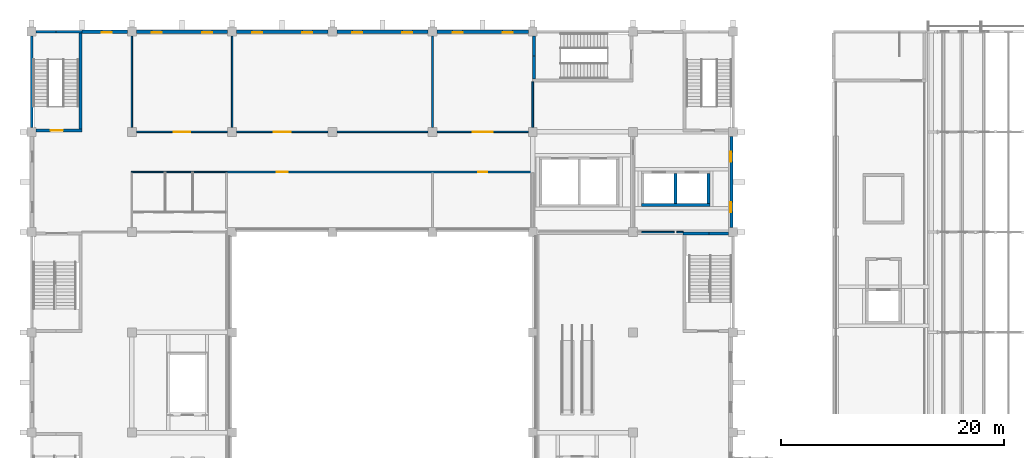
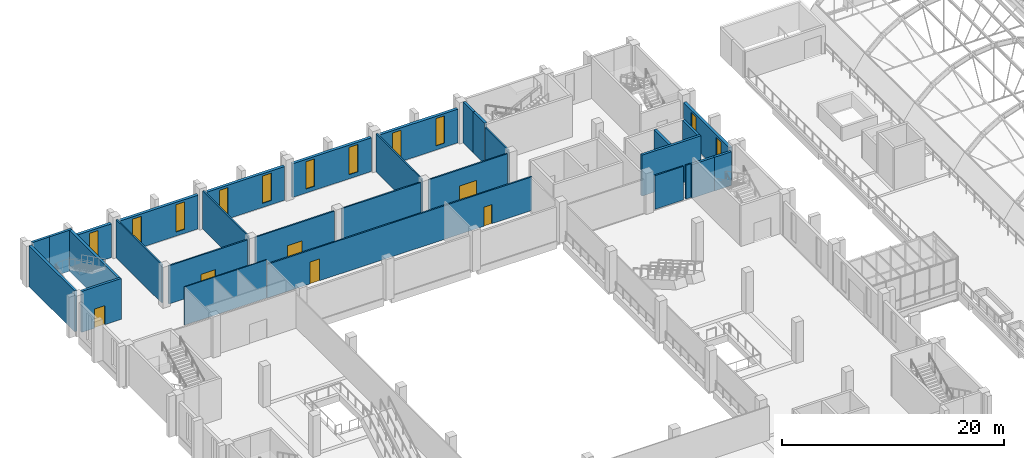
# One storey, part 55 of 79: 30 walls, 11 windows, 6 doors, 17 openings.
"""IFC4 building model written with IfcOpenShell, lengths in metres."""

from ifc_helpers import new_model, si_unit, direction, frame, frame_2d, origin, place, context, subcontext, project, spatial, rectangle, extrude, material, layer, layer_set, type_object, element, fill, save


model = new_model("IFC4")

# Units and contexts
model_context = context("Model", 3, precision=1e-05, world=origin(), true_north=direction((0.0, 1.0)))
body_context = subcontext(model_context, "Body", "Model", "MODEL_VIEW")
ifc_project = project(units=[si_unit("LENGTHUNIT", "METRE"), si_unit("AREAUNIT", "SQUARE_METRE"), si_unit("VOLUMEUNIT", "CUBIC_METRE"), si_unit("PLANEANGLEUNIT", "RADIAN"), si_unit("MASSUNIT", "GRAM", prefix="KILO")], contexts=[model_context])

# Site, building, storey
site_placement = place(None, origin())
site = spatial("IfcSite", under=ifc_project, at=site_placement, CompositionType="ELEMENT")
building_placement = place(site_placement, origin())
building = spatial("IfcBuilding", under=site, at=building_placement, Name="Guidao Yard Department Store", CompositionType="ELEMENT")
storey_placement = place(building_placement, frame((0.0, 0.0, 15.0)))
storey = spatial("IfcBuildingStorey", under=building, at=storey_placement, Name="L03", CompositionType="ELEMENT", Elevation=15.0)

# Wall, opening, window
ifc_material_1 = material(Name="Concrete C35", Category="concrete")
ifc_layer_1 = layer(ifc_material_1, 0.300048828125)
ifc_layer_set_1 = layer_set([ifc_layer_1], Name="Hall facade wall 300 C35")
wall_type_1 = type_object("IfcWallType", Name="Hall facade wall 300 C35", PredefinedType="SOLIDWALL", material=ifc_layer_set_1)
wall_1_placement = place(storey_placement, frame((4.5, 108.0, 0.0), z_axis=(0.0, 0.0, 1.0), x_axis=(1.0, 0.0, 0.0)))
wall_1 = element("IfcWall", 1, at=wall_1_placement, inside=storey, type_object=wall_type_1, Name="Hall facade wall", PredefinedType="SOLIDWALL", context=body_context, shape_type="SweptSolid", body=[
    extrude(rectangle(XDim=4.10009765625, YDim=0.300048828125, at=frame_2d((2.050048828125, 0.0))), origin(), (0.0, 0.0, 1.0), 3.699951171875),
])
opening_1_placement = place(wall_1_placement, frame((1.800048828125, 0.0, 0.449951171875)))
opening_1 = element("IfcOpeningElement", 2, at=opening_1_placement, cuts=wall_1, Name="Opening WN-L03-E09", PredefinedType="OPENING", context=body_context, shape_type="SweptSolid", body=[
    extrude(rectangle(XDim=0.89990234375, YDim=3.0, at=frame_2d((0.449951171875, 1.5))), frame((0.0, 0.159912109375, 0.0), z_axis=(0.0, -1.0, 0.0), x_axis=(1.0, 0.0, 0.0)), (0.0, 0.0, 1.0), 0.320068359375),
])
ifc_material_2 = material(Name="Laminated glass in aluminium frame", Category="aluminium")
window_type = type_object("IfcWindowType", Name="Slot window SL1 900 x 3000 fixed", PartitioningType="SINGLE_PANEL", PredefinedType="WINDOW", material=ifc_material_2)
window_1_placement = place(opening_1_placement, origin())
window_1 = element("IfcWindow", 3, at=window_1_placement, inside=storey, type_object=window_type, Name="Slot window", OverallHeight=3.0, OverallWidth=0.89990234375, PartitioningType="SINGLE_PANEL", PredefinedType="WINDOW", context=body_context, shape_type="SweptSolid", body=[
    extrude(rectangle(XDim=0.89990234375, YDim=3.0, at=frame_2d((0.449951171875, 1.5))), frame((0.0, -0.030029296875, 0.0), z_axis=(0.0, -1.0, 0.0), x_axis=(1.0, 0.0, 0.0)), (0.0, 0.0, 1.0), 0.06005859375),
])
fill(opening_1, window_1)

# Wall, openings, windows
wall_2_placement = place(storey_placement, frame((9.39990234375, 108.0, 0.0), z_axis=(0.0, 0.0, 1.0), x_axis=(1.0, 0.0, 0.0)))
wall_2 = element("IfcWall", 4, at=wall_2_placement, inside=storey, type_object=wall_type_1, Name="Hall facade wall", PredefinedType="SOLIDWALL", context=body_context, shape_type="SweptSolid", body=[
    extrude(rectangle(XDim=8.2001953125, YDim=0.300048828125, at=frame_2d((4.10009765625, 0.0))), origin(), (0.0, 0.0, 1.0), 3.699951171875),
])
opening_2_placement = place(wall_2_placement, frame((1.39990234375, 0.0, 0.449951171875)))
opening_2 = element("IfcOpeningElement", 5, at=opening_2_placement, cuts=wall_2, Name="Opening WN-L03-E10", PredefinedType="OPENING", context=body_context, shape_type="SweptSolid", body=[
    extrude(rectangle(XDim=0.89990234375, YDim=3.0, at=frame_2d((0.449951171875, 1.5))), frame((0.0, 0.159912109375, 0.0), z_axis=(0.0, -1.0, 0.0), x_axis=(1.0, 0.0, 0.0)), (0.0, 0.0, 1.0), 0.320068359375),
])
opening_3_placement = place(wall_2_placement, frame((5.89990234375, 0.0, 0.449951171875)))
opening_3 = element("IfcOpeningElement", 6, at=opening_3_placement, cuts=wall_2, Name="Opening WN-L03-E11", PredefinedType="OPENING", context=body_context, shape_type="SweptSolid", body=[
    extrude(rectangle(XDim=0.89990234375, YDim=3.0, at=frame_2d((0.449951171875, 1.5))), frame((0.0, 0.159912109375, 0.0), z_axis=(0.0, -1.0, 0.0), x_axis=(1.0, 0.0, 0.0)), (0.0, 0.0, 1.0), 0.320068359375),
])
window_2_placement = place(opening_2_placement, origin())
window_2 = element("IfcWindow", 7, at=window_2_placement, inside=storey, type_object=window_type, Name="Slot window", OverallHeight=3.0, OverallWidth=0.89990234375, PartitioningType="SINGLE_PANEL", PredefinedType="WINDOW", context=body_context, shape_type="SweptSolid", body=[
    extrude(rectangle(XDim=0.89990234375, YDim=3.0, at=frame_2d((0.449951171875, 1.5))), frame((0.0, -0.030029296875, 0.0), z_axis=(0.0, -1.0, 0.0), x_axis=(1.0, 0.0, 0.0)), (0.0, 0.0, 1.0), 0.06005859375),
])
fill(opening_2, window_2)
window_3_placement = place(opening_3_placement, origin())
window_3 = element("IfcWindow", 8, at=window_3_placement, inside=storey, type_object=window_type, Name="Slot window", OverallHeight=3.0, OverallWidth=0.89990234375, PartitioningType="SINGLE_PANEL", PredefinedType="WINDOW", context=body_context, shape_type="SweptSolid", body=[
    extrude(rectangle(XDim=0.89990234375, YDim=3.0, at=frame_2d((0.449951171875, 1.5))), frame((0.0, -0.030029296875, 0.0), z_axis=(0.0, -1.0, 0.0), x_axis=(1.0, 0.0, 0.0)), (0.0, 0.0, 1.0), 0.06005859375),
])
fill(opening_3, window_3)

wall_3_placement = place(storey_placement, frame((18.39990234375, 108.0, 0.0), z_axis=(0.0, 0.0, 1.0), x_axis=(1.0, 0.0, 0.0)))
wall_3 = element("IfcWall", 9, at=wall_3_placement, inside=storey, type_object=wall_type_1, Name="Hall facade wall", PredefinedType="SOLIDWALL", context=body_context, shape_type="SweptSolid", body=[
    extrude(rectangle(XDim=8.2001953125, YDim=0.300048828125, at=frame_2d((4.10009765625, 0.0))), origin(), (0.0, 0.0, 1.0), 3.699951171875),
])
opening_4_placement = place(wall_3_placement, frame((1.39990234375, 0.0, 0.449951171875)))
opening_4 = element("IfcOpeningElement", 10, at=opening_4_placement, cuts=wall_3, Name="Opening WN-L03-E12", PredefinedType="OPENING", context=body_context, shape_type="SweptSolid", body=[
    extrude(rectangle(XDim=0.89990234375, YDim=3.0, at=frame_2d((0.449951171875, 1.5))), frame((0.0, 0.159912109375, 0.0), z_axis=(0.0, -1.0, 0.0), x_axis=(1.0, 0.0, 0.0)), (0.0, 0.0, 1.0), 0.320068359375),
])
opening_5_placement = place(wall_3_placement, frame((5.89990234375, 0.0, 0.449951171875)))
opening_5 = element("IfcOpeningElement", 11, at=opening_5_placement, cuts=wall_3, Name="Opening WN-L03-E13", PredefinedType="OPENING", context=body_context, shape_type="SweptSolid", body=[
    extrude(rectangle(XDim=0.89990234375, YDim=3.0, at=frame_2d((0.449951171875, 1.5))), frame((0.0, 0.159912109375, 0.0), z_axis=(0.0, -1.0, 0.0), x_axis=(1.0, 0.0, 0.0)), (0.0, 0.0, 1.0), 0.320068359375),
])
window_4_placement = place(opening_4_placement, origin())
window_4 = element("IfcWindow", 12, at=window_4_placement, inside=storey, type_object=window_type, Name="Slot window", OverallHeight=3.0, OverallWidth=0.89990234375, PartitioningType="SINGLE_PANEL", PredefinedType="WINDOW", context=body_context, shape_type="SweptSolid", body=[
    extrude(rectangle(XDim=0.89990234375, YDim=3.0, at=frame_2d((0.449951171875, 1.5))), frame((0.0, -0.030029296875, 0.0), z_axis=(0.0, -1.0, 0.0), x_axis=(1.0, 0.0, 0.0)), (0.0, 0.0, 1.0), 0.06005859375),
])
fill(opening_4, window_4)
window_5_placement = place(opening_5_placement, origin())
window_5 = element("IfcWindow", 13, at=window_5_placement, inside=storey, type_object=window_type, Name="Slot window", OverallHeight=3.0, OverallWidth=0.89990234375, PartitioningType="SINGLE_PANEL", PredefinedType="WINDOW", context=body_context, shape_type="SweptSolid", body=[
    extrude(rectangle(XDim=0.89990234375, YDim=3.0, at=frame_2d((0.449951171875, 1.5))), frame((0.0, -0.030029296875, 0.0), z_axis=(0.0, -1.0, 0.0), x_axis=(1.0, 0.0, 0.0)), (0.0, 0.0, 1.0), 0.06005859375),
])
fill(opening_5, window_5)

wall_4_placement = place(storey_placement, frame((27.39990234375, 108.0, 0.0), z_axis=(0.0, 0.0, 1.0), x_axis=(1.0, 0.0, 0.0)))
wall_4 = element("IfcWall", 14, at=wall_4_placement, inside=storey, type_object=wall_type_1, Name="Hall facade wall", PredefinedType="SOLIDWALL", context=body_context, shape_type="SweptSolid", body=[
    extrude(rectangle(XDim=8.2001953125, YDim=0.300048828125, at=frame_2d((4.10009765625, 0.0))), origin(), (0.0, 0.0, 1.0), 3.699951171875),
])
opening_6_placement = place(wall_4_placement, frame((1.39990234375, 0.0, 0.449951171875)))
opening_6 = element("IfcOpeningElement", 15, at=opening_6_placement, cuts=wall_4, Name="Opening WN-L03-E14", PredefinedType="OPENING", context=body_context, shape_type="SweptSolid", body=[
    extrude(rectangle(XDim=0.89990234375, YDim=3.0, at=frame_2d((0.449951171875, 1.5))), frame((0.0, 0.159912109375, 0.0), z_axis=(0.0, -1.0, 0.0), x_axis=(1.0, 0.0, 0.0)), (0.0, 0.0, 1.0), 0.320068359375),
])
opening_7_placement = place(wall_4_placement, frame((5.89990234375, 0.0, 0.449951171875)))
opening_7 = element("IfcOpeningElement", 16, at=opening_7_placement, cuts=wall_4, Name="Opening WN-L03-E15", PredefinedType="OPENING", context=body_context, shape_type="SweptSolid", body=[
    extrude(rectangle(XDim=0.89990234375, YDim=3.0, at=frame_2d((0.449951171875, 1.5))), frame((0.0, 0.159912109375, 0.0), z_axis=(0.0, -1.0, 0.0), x_axis=(1.0, 0.0, 0.0)), (0.0, 0.0, 1.0), 0.320068359375),
])
window_6_placement = place(opening_6_placement, origin())
window_6 = element("IfcWindow", 17, at=window_6_placement, inside=storey, type_object=window_type, Name="Slot window", OverallHeight=3.0, OverallWidth=0.89990234375, PartitioningType="SINGLE_PANEL", PredefinedType="WINDOW", context=body_context, shape_type="SweptSolid", body=[
    extrude(rectangle(XDim=0.89990234375, YDim=3.0, at=frame_2d((0.449951171875, 1.5))), frame((0.0, -0.030029296875, 0.0), z_axis=(0.0, -1.0, 0.0), x_axis=(1.0, 0.0, 0.0)), (0.0, 0.0, 1.0), 0.06005859375),
])
fill(opening_6, window_6)
window_7_placement = place(opening_7_placement, origin())
window_7 = element("IfcWindow", 18, at=window_7_placement, inside=storey, type_object=window_type, Name="Slot window", OverallHeight=3.0, OverallWidth=0.89990234375, PartitioningType="SINGLE_PANEL", PredefinedType="WINDOW", context=body_context, shape_type="SweptSolid", body=[
    extrude(rectangle(XDim=0.89990234375, YDim=3.0, at=frame_2d((0.449951171875, 1.5))), frame((0.0, -0.030029296875, 0.0), z_axis=(0.0, -1.0, 0.0), x_axis=(1.0, 0.0, 0.0)), (0.0, 0.0, 1.0), 0.06005859375),
])
fill(opening_7, window_7)

wall_5_placement = place(storey_placement, frame((36.39990234375, 108.0, 0.0), z_axis=(0.0, 0.0, 1.0), x_axis=(1.0, 0.0, 0.0)))
wall_5 = element("IfcWall", 19, at=wall_5_placement, inside=storey, type_object=wall_type_1, Name="Hall facade wall", PredefinedType="SOLIDWALL", context=body_context, shape_type="SweptSolid", body=[
    extrude(rectangle(XDim=8.2001953125, YDim=0.300048828125, at=frame_2d((4.10009765625, 0.0))), origin(), (0.0, 0.0, 1.0), 3.699951171875),
])
opening_8_placement = place(wall_5_placement, frame((1.39990234375, 0.0, 0.449951171875)))
opening_8 = element("IfcOpeningElement", 20, at=opening_8_placement, cuts=wall_5, Name="Opening WN-L03-E16", PredefinedType="OPENING", context=body_context, shape_type="SweptSolid", body=[
    extrude(rectangle(XDim=0.89990234375, YDim=3.0, at=frame_2d((0.449951171875, 1.5))), frame((0.0, 0.159912109375, 0.0), z_axis=(0.0, -1.0, 0.0), x_axis=(1.0, 0.0, 0.0)), (0.0, 0.0, 1.0), 0.320068359375),
])
opening_9_placement = place(wall_5_placement, frame((5.89990234375, 0.0, 0.449951171875)))
opening_9 = element("IfcOpeningElement", 21, at=opening_9_placement, cuts=wall_5, Name="Opening WN-L03-E17", PredefinedType="OPENING", context=body_context, shape_type="SweptSolid", body=[
    extrude(rectangle(XDim=0.89990234375, YDim=3.0, at=frame_2d((0.449951171875, 1.5))), frame((0.0, 0.159912109375, 0.0), z_axis=(0.0, -1.0, 0.0), x_axis=(1.0, 0.0, 0.0)), (0.0, 0.0, 1.0), 0.320068359375),
])
window_8_placement = place(opening_8_placement, origin())
window_8 = element("IfcWindow", 22, at=window_8_placement, inside=storey, type_object=window_type, Name="Slot window", OverallHeight=3.0, OverallWidth=0.89990234375, PartitioningType="SINGLE_PANEL", PredefinedType="WINDOW", context=body_context, shape_type="SweptSolid", body=[
    extrude(rectangle(XDim=0.89990234375, YDim=3.0, at=frame_2d((0.449951171875, 1.5))), frame((0.0, -0.030029296875, 0.0), z_axis=(0.0, -1.0, 0.0), x_axis=(1.0, 0.0, 0.0)), (0.0, 0.0, 1.0), 0.06005859375),
])
fill(opening_8, window_8)
window_9_placement = place(opening_9_placement, origin())
window_9 = element("IfcWindow", 23, at=window_9_placement, inside=storey, type_object=window_type, Name="Slot window", OverallHeight=3.0, OverallWidth=0.89990234375, PartitioningType="SINGLE_PANEL", PredefinedType="WINDOW", context=body_context, shape_type="SweptSolid", body=[
    extrude(rectangle(XDim=0.89990234375, YDim=3.0, at=frame_2d((0.449951171875, 1.5))), frame((0.0, -0.030029296875, 0.0), z_axis=(0.0, -1.0, 0.0), x_axis=(1.0, 0.0, 0.0)), (0.0, 0.0, 1.0), 0.06005859375),
])
fill(opening_9, window_9)

wall_6_placement = place(storey_placement, frame((62.85009765625, 98.60009765625, 0.0), z_axis=(0.0, 0.0, 1.0), x_axis=(0.0, -1.0, 0.0)))
wall_6 = element("IfcWall", 24, at=wall_6_placement, inside=storey, type_object=wall_type_1, Name="Hall facade wall", PredefinedType="SOLIDWALL", context=body_context, shape_type="SweptSolid", body=[
    extrude(rectangle(XDim=8.2001953125, YDim=0.300048828125, at=frame_2d((4.10009765625, 0.0))), origin(), (0.0, 0.0, 1.0), 3.699951171875),
])
opening_10_placement = place(wall_6_placement, frame((5.89990234375, 0.0, 0.449951171875)))
opening_10 = element("IfcOpeningElement", 25, at=opening_10_placement, cuts=wall_6, Name="Opening WN-L03-E25", PredefinedType="OPENING", context=body_context, shape_type="SweptSolid", body=[
    extrude(rectangle(XDim=0.89990234375, YDim=3.0, at=frame_2d((0.449951171875, 1.5))), frame((0.0, 0.159912109375, 0.0), z_axis=(0.0, -1.0, 0.0), x_axis=(1.0, 0.0, 0.0)), (0.0, 0.0, 1.0), 0.320068359375),
])
opening_11_placement = place(wall_6_placement, frame((1.39990234375, 0.0, 0.449951171875)))
opening_11 = element("IfcOpeningElement", 26, at=opening_11_placement, cuts=wall_6, Name="Opening WN-L03-E26", PredefinedType="OPENING", context=body_context, shape_type="SweptSolid", body=[
    extrude(rectangle(XDim=0.89990234375, YDim=3.0, at=frame_2d((0.449951171875, 1.5))), frame((0.0, 0.159912109375, 0.0), z_axis=(0.0, -1.0, 0.0), x_axis=(1.0, 0.0, 0.0)), (0.0, 0.0, 1.0), 0.320068359375),
])
window_10_placement = place(opening_10_placement, origin())
window_10 = element("IfcWindow", 27, at=window_10_placement, inside=storey, type_object=window_type, Name="Slot window", OverallHeight=3.0, OverallWidth=0.89990234375, PartitioningType="SINGLE_PANEL", PredefinedType="WINDOW", context=body_context, shape_type="SweptSolid", body=[
    extrude(rectangle(XDim=0.89990234375, YDim=3.0, at=frame_2d((0.449951171875, 1.5))), frame((0.0, -0.030029296875, 0.0), z_axis=(0.0, -1.0, 0.0), x_axis=(1.0, 0.0, 0.0)), (0.0, 0.0, 1.0), 0.06005859375),
])
fill(opening_10, window_10)
window_11_placement = place(opening_11_placement, origin())
window_11 = element("IfcWindow", 28, at=window_11_placement, inside=storey, type_object=window_type, Name="Slot window", OverallHeight=3.0, OverallWidth=0.89990234375, PartitioningType="SINGLE_PANEL", PredefinedType="WINDOW", context=body_context, shape_type="SweptSolid", body=[
    extrude(rectangle(XDim=0.89990234375, YDim=3.0, at=frame_2d((0.449951171875, 1.5))), frame((0.0, -0.030029296875, 0.0), z_axis=(0.0, -1.0, 0.0), x_axis=(1.0, 0.0, 0.0)), (0.0, 0.0, 1.0), 0.06005859375),
])
fill(opening_11, window_11)

# Walls
ifc_material_3 = material(Name="Gypsum board on Steel Q235 studs", Category="steel")
ifc_layer_2 = layer(ifc_material_3, 0.10009765625)
ifc_layer_set_2 = layer_set([ifc_layer_2], Name="Partition P1 100 mm gypsum board EI 30")
wall_type_2 = type_object("IfcWallType", Name="Partition P1 100 mm gypsum board EI 30", PredefinedType="PARTITIONING", material=ifc_layer_set_2)
wall_7_placement = place(storey_placement, frame((8.949951171875, 95.39990234375, 0.0), z_axis=(0.0, 0.0, 1.0), x_axis=(1.0, 0.0, 0.0)))
element("IfcWall", 29, at=wall_7_placement, inside=storey, type_object=wall_type_2, Name="Wall W-HL03-027", PredefinedType="PARTITIONING", context=body_context, shape_type="SweptSolid", body=[
    extrude(rectangle(XDim=8.550048828125, YDim=0.10009765625, at=frame_2d((4.27490234375, 0.0))), origin(), (0.0, 0.0, 1.0), 4.199951171875),
])
ifc_material_4 = material(Name="Concrete block MU10", Category="concrete")
ifc_layer_3 = layer(ifc_material_4, 0.14990234375)
ifc_layer_set_3 = layer_set([ifc_layer_3], Name="Wall P2 150 mm blockwork EI 60")
wall_type_3 = type_object("IfcWallType", Name="Wall P2 150 mm blockwork EI 60", PredefinedType="PARTITIONING", material=ifc_layer_set_3)
wall_8_placement = place(storey_placement, frame((54.75, 90.0, 0.0), z_axis=(0.0, 0.0, 1.0), x_axis=(1.0, 0.0, 0.0)))
element("IfcWall", 30, at=wall_8_placement, inside=storey, type_object=wall_type_3, Name="Wall W-HL03-013", PredefinedType="PARTITIONING", context=body_context, shape_type="SweptSolid", body=[
    extrude(rectangle(XDim=2.949951171875, YDim=0.14990234375, at=frame_2d((1.47509765625, 0.0))), origin(), (0.0, 0.0, 1.0), 3.699951171875),
])
wall_9_placement = place(storey_placement, frame((57.949951171875, 90.0, 0.0), z_axis=(0.0, 0.0, 1.0), x_axis=(1.0, 0.0, 0.0)))
element("IfcWall", 31, at=wall_9_placement, inside=storey, type_object=wall_type_3, Name="Wall W-HL03-014", PredefinedType="PARTITIONING", context=body_context, shape_type="SweptSolid", body=[
    extrude(rectangle(XDim=0.550048828125, YDim=0.14990234375, at=frame_2d((0.27490234375, 0.0))), origin(), (0.0, 0.0, 1.0), 3.699951171875),
])

# Wall, openings, doors
wall_10_placement = place(storey_placement, frame((17.5, 95.39990234375, 0.0), z_axis=(0.0, 0.0, 1.0), x_axis=(1.0, 0.0, 0.0)))
wall_10 = element("IfcWall", 32, at=wall_10_placement, inside=storey, type_object=wall_type_3, Name="Wall W-HL03-026", PredefinedType="PARTITIONING", context=body_context, shape_type="SweptSolid", body=[
    extrude(rectangle(XDim=27.574951171875, YDim=0.14990234375, at=frame_2d((13.78759765625, 0.0))), origin(), (0.0, 0.0, 1.0), 3.699951171875),
])
opening_12_placement = place(wall_10_placement, frame((5.5, 0.0, 0.0), z_axis=(0.0, 0.0, 1.0), x_axis=(-1.0, 0.0, 0.0)))
opening_12 = element("IfcOpeningElement", 33, at=opening_12_placement, cuts=wall_10, Name="Opening HL03-009", PredefinedType="OPENING", context=body_context, shape_type="SweptSolid", body=[
    extrude(rectangle(XDim=1.0, YDim=2.39990234375, at=frame_2d((0.5, 1.199951171875))), frame((0.0, 0.0849609375, 0.0), z_axis=(0.0, -1.0, 0.0), x_axis=(1.0, 0.0, 0.0)), (0.0, 0.0, 1.0), 0.169921875),
])
opening_13_placement = place(wall_10_placement, frame((23.400146484375, 0.0, 0.0), z_axis=(0.0, 0.0, 1.0), x_axis=(-1.0, 0.0, 0.0)))
opening_13 = element("IfcOpeningElement", 34, at=opening_13_placement, cuts=wall_10, Name="Opening HL03-010", PredefinedType="OPENING", context=body_context, shape_type="SweptSolid", body=[
    extrude(rectangle(XDim=0.800048828125, YDim=2.10009765625, at=frame_2d((0.39990234375, 1.050048828125))), frame((0.0, 0.0849609375, 0.0), z_axis=(0.0, -1.0, 0.0), x_axis=(1.0, 0.0, 0.0)), (0.0, 0.0, 1.0), 0.169921875),
])
ifc_material_5 = material(Name="Timber door leaf", Category="wood")
door_type_1 = type_object("IfcDoorType", Name="Door D4 800 x 2100", OperationType="SINGLE_SWING_LEFT", PredefinedType="DOOR", material=ifc_material_5)
door_1_placement = place(opening_13_placement, origin())
door_1 = element("IfcDoor", 35, at=door_1_placement, inside=storey, type_object=door_type_1, Name="Door HL03-010", OperationType="SINGLE_SWING_LEFT", OverallHeight=2.10009765625, OverallWidth=0.800048828125, PredefinedType="DOOR", context=body_context, shape_type="SweptSolid", body=[
    extrude(rectangle(XDim=0.800048828125, YDim=2.10009765625, at=frame_2d((0.39990234375, 1.050048828125))), frame((0.0, 0.02490234375, 0.0), z_axis=(0.0, -1.0, 0.0), x_axis=(1.0, 0.0, 0.0)), (0.0, 0.0, 1.0), 0.050048828125),
])
fill(opening_13, door_1)
ifc_material_6 = material(Name="Steel Q235", Category="steel")
door_type_2 = type_object("IfcDoorType", Name="Door FD15 staff 1000 x 2400 FD60", OperationType="SINGLE_SWING_LEFT", PredefinedType="DOOR", material=ifc_material_6)
door_2_placement = place(opening_12_placement, origin())
door_2 = element("IfcDoor", 36, at=door_2_placement, inside=storey, type_object=door_type_2, Name="Door HL03-009", OperationType="SINGLE_SWING_RIGHT", OverallHeight=2.39990234375, OverallWidth=1.0, PredefinedType="DOOR", context=body_context, shape_type="SweptSolid", body=[
    extrude(rectangle(XDim=1.0, YDim=2.39990234375, at=frame_2d((0.5, 1.199951171875))), frame((0.0, 0.02490234375, 0.0), z_axis=(0.0, -1.0, 0.0), x_axis=(1.0, 0.0, 0.0)), (0.0, 0.0, 1.0), 0.050048828125),
])
fill(opening_12, door_2)

# Wall, opening, door
wall_11_placement = place(storey_placement, frame((9.39990234375, 99.0, 0.0), z_axis=(0.0, 0.0, 1.0), x_axis=(1.0, 0.0, 0.0)))
wall_11 = element("IfcWall", 37, at=wall_11_placement, inside=storey, type_object=wall_type_3, Name="Wall W-HL03-028", PredefinedType="PARTITIONING", context=body_context, shape_type="SweptSolid", body=[
    extrude(rectangle(XDim=8.2001953125, YDim=0.14990234375, at=frame_2d((4.10009765625, 0.0))), origin(), (0.0, 0.0, 1.0), 4.199951171875),
])
opening_14_placement = place(wall_11_placement, frame((3.35009765625, 0.0, 0.0)))
opening_14 = element("IfcOpeningElement", 38, at=opening_14_placement, cuts=wall_11, Name="Opening HL03-012", PredefinedType="OPENING", context=body_context, shape_type="SweptSolid", body=[
    extrude(rectangle(XDim=1.5, YDim=2.10009765625, at=frame_2d((0.75, 1.050048828125))), frame((0.0, 0.0849609375, 0.0), z_axis=(0.0, -1.0, 0.0), x_axis=(1.0, 0.0, 0.0)), (0.0, 0.0, 1.0), 0.169921875),
])
ifc_material_7 = material(Name="Steel Q235", Category="steel")
door_type_3 = type_object("IfcDoorType", Name="Door FD11 trolley double 1500 x 2100 FD60", OperationType="DOUBLE_DOOR_SINGLE_SWING", PredefinedType="DOOR", material=ifc_material_7)
door_3_placement = place(opening_14_placement, origin())
door_3 = element("IfcDoor", 39, at=door_3_placement, inside=storey, type_object=door_type_3, Name="Door HL03-012", OperationType="DOUBLE_DOOR_SINGLE_SWING", OverallHeight=2.10009765625, OverallWidth=1.5, PredefinedType="DOOR", context=body_context, shape_type="SweptSolid", body=[
    extrude(rectangle(XDim=1.5, YDim=2.10009765625, at=frame_2d((0.75, 1.050048828125))), frame((0.0, 0.02490234375, 0.0), z_axis=(0.0, -1.0, 0.0), x_axis=(1.0, 0.0, 0.0)), (0.0, 0.0, 1.0), 0.050048828125),
])
fill(opening_14, door_3)

wall_12_placement = place(storey_placement, frame((18.39990234375, 99.0, 0.0), z_axis=(0.0, 0.0, 1.0), x_axis=(1.0, 0.0, 0.0)))
wall_12 = element("IfcWall", 40, at=wall_12_placement, inside=storey, type_object=wall_type_3, Name="Wall W-HL03-029", PredefinedType="PARTITIONING", context=body_context, shape_type="SweptSolid", body=[
    extrude(rectangle(XDim=8.2001953125, YDim=0.14990234375, at=frame_2d((4.10009765625, 0.0))), origin(), (0.0, 0.0, 1.0), 4.199951171875),
])
opening_15_placement = place(wall_12_placement, frame((3.35009765625, 0.0, 0.0)))
opening_15 = element("IfcOpeningElement", 41, at=opening_15_placement, cuts=wall_12, Name="Opening HL03-013", PredefinedType="OPENING", context=body_context, shape_type="SweptSolid", body=[
    extrude(rectangle(XDim=1.5, YDim=2.10009765625, at=frame_2d((0.75, 1.050048828125))), frame((0.0, 0.0849609375, 0.0), z_axis=(0.0, -1.0, 0.0), x_axis=(1.0, 0.0, 0.0)), (0.0, 0.0, 1.0), 0.169921875),
])
door_4_placement = place(opening_15_placement, origin())
door_4 = element("IfcDoor", 42, at=door_4_placement, inside=storey, type_object=door_type_3, Name="Door HL03-013", OperationType="DOUBLE_DOOR_SINGLE_SWING", OverallHeight=2.10009765625, OverallWidth=1.5, PredefinedType="DOOR", context=body_context, shape_type="SweptSolid", body=[
    extrude(rectangle(XDim=1.5, YDim=2.10009765625, at=frame_2d((0.75, 1.050048828125))), frame((0.0, 0.02490234375, 0.0), z_axis=(0.0, -1.0, 0.0), x_axis=(1.0, 0.0, 0.0)), (0.0, 0.0, 1.0), 0.050048828125),
])
fill(opening_15, door_4)

# Wall
wall_13_placement = place(storey_placement, frame((27.39990234375, 99.0, 0.0), z_axis=(0.0, 0.0, 1.0), x_axis=(1.0, 0.0, 0.0)))
element("IfcWall", 43, at=wall_13_placement, inside=storey, type_object=wall_type_3, Name="Wall W-HL03-030", PredefinedType="PARTITIONING", context=body_context, shape_type="SweptSolid", body=[
    extrude(rectangle(XDim=8.2001953125, YDim=0.14990234375, at=frame_2d((4.10009765625, 0.0))), origin(), (0.0, 0.0, 1.0), 4.199951171875),
])

# Wall, opening, door
wall_14_placement = place(storey_placement, frame((36.39990234375, 99.0, 0.0), z_axis=(0.0, 0.0, 1.0), x_axis=(1.0, 0.0, 0.0)))
wall_14 = element("IfcWall", 44, at=wall_14_placement, inside=storey, type_object=wall_type_3, Name="Wall W-HL03-031", PredefinedType="PARTITIONING", context=body_context, shape_type="SweptSolid", body=[
    extrude(rectangle(XDim=8.2001953125, YDim=0.14990234375, at=frame_2d((4.10009765625, 0.0))), origin(), (0.0, 0.0, 1.0), 4.199951171875),
])
opening_16_placement = place(wall_14_placement, frame((3.199951171875, 0.0, 0.0)))
opening_16 = element("IfcOpeningElement", 45, at=opening_16_placement, cuts=wall_14, Name="Opening HL03-014", PredefinedType="OPENING", context=body_context, shape_type="SweptSolid", body=[
    extrude(rectangle(XDim=1.800048828125, YDim=2.39990234375, at=frame_2d((0.89990234375, 1.199951171875))), frame((0.0, 0.0849609375, 0.0), z_axis=(0.0, -1.0, 0.0), x_axis=(1.0, 0.0, 0.0)), (0.0, 0.0, 1.0), 0.169921875),
])
ifc_material_8 = material(Name="Steel Q235", Category="steel")
door_type_4 = type_object("IfcDoorType", Name="Door FD12 pallet double 1800 x 2400 FD60", OperationType="DOUBLE_DOOR_SINGLE_SWING", PredefinedType="DOOR", material=ifc_material_8)
door_5_placement = place(opening_16_placement, origin())
door_5 = element("IfcDoor", 46, at=door_5_placement, inside=storey, type_object=door_type_4, Name="Door HL03-014", OperationType="DOUBLE_DOOR_SINGLE_SWING", OverallHeight=2.39990234375, OverallWidth=1.800048828125, PredefinedType="DOOR", context=body_context, shape_type="SweptSolid", body=[
    extrude(rectangle(XDim=1.800048828125, YDim=2.39990234375, at=frame_2d((0.89990234375, 1.199951171875))), frame((0.0, 0.02490234375, 0.0), z_axis=(0.0, -1.0, 0.0), x_axis=(1.0, 0.0, 0.0)), (0.0, 0.0, 1.0), 0.050048828125),
])
fill(opening_16, door_5)

# Walls
for number, where, z_axis, x_axis, name in (
    (47, (9.0, 99.39990234375, 0.0), (0.0, 0.0, 1.0), (0.0, 1.0, 0.0), "Wall W-HL03-032"),
    (48, (18.0, 99.39990234375, 0.0), (0.0, 0.0, 1.0), (0.0, 1.0, 0.0), "Wall W-HL03-033"),
    (49, (36.0, 99.39990234375, 0.0), (0.0, 0.0, 1.0), (0.0, 1.0, 0.0), "Wall W-HL03-034"),
):
    element("IfcWall", number, at=place(storey_placement, frame(where, z_axis=z_axis, x_axis=x_axis)), inside=storey, type_object=wall_type_3, Name=name, PredefinedType="PARTITIONING", context=body_context, shape_type="SweptSolid", body=[
        extrude(rectangle(XDim=8.2001953125, YDim=0.14990234375, at=frame_2d((4.10009765625, 0.0))), origin(), (0.0, 0.0, 1.0), 4.199951171875),
    ])
wall_15_placement = place(storey_placement, frame((45.0, 99.39990234375, 0.0), z_axis=(0.0, 0.0, 1.0), x_axis=(0.0, 1.0, 0.0)))
element("IfcWall", 50, at=wall_15_placement, inside=storey, type_object=wall_type_3, Name="Wall W-HL03-035", PredefinedType="PARTITIONING", context=body_context, shape_type="SweptSolid", body=[
    extrude(rectangle(XDim=4.10009765625, YDim=0.14990234375, at=frame_2d((2.050048828125, 0.0))), origin(), (0.0, 0.0, 1.0), 4.199951171875),
])
ifc_material_9 = material(Name="Concrete C40", Category="concrete")
ifc_layer_4 = layer(ifc_material_9, 0.25)
ifc_layer_set_4 = layer_set([ifc_layer_4], Name="Wall RC 250 C40 stair and shaft")
wall_type_4 = type_object("IfcWallType", Name="Wall RC 250 C40 stair and shaft", PredefinedType="SHEAR", material=ifc_layer_set_4)
wall_16_placement = place(storey_placement, frame((58.5, 89.875, 0.0), z_axis=(0.0, 0.0, 1.0), x_axis=(1.0, 0.0, 0.0)))
element("IfcWall", 51, at=wall_16_placement, inside=storey, type_object=wall_type_4, Name="Stair wall SA4", PredefinedType="SHEAR", context=body_context, shape_type="SweptSolid", body=[
    extrude(rectangle(XDim=2.31201171875, YDim=0.25, at=frame_2d((1.156005859375, 0.0))), origin(), (0.0, 0.0, 1.0), 3.699951171875),
])
wall_17_placement = place(storey_placement, frame((60.81201171875, 89.875, 0.0), z_axis=(0.0, 0.0, 1.0), x_axis=(1.0, 0.0, 0.0)))
element("IfcWall", 52, at=wall_17_placement, inside=storey, type_object=wall_type_4, Name="Stair wall SA4", PredefinedType="SHEAR", context=body_context, shape_type="SweptSolid", body=[
    extrude(rectangle(XDim=1.7880859375, YDim=0.25, at=frame_2d((0.89404296875, 0.0))), origin(), (0.0, 0.0, 1.0), 3.699951171875),
])

# Wall, opening, door
wall_18_placement = place(storey_placement, frame((0.39990234375, 99.125, 0.0), z_axis=(0.0, 0.0, 1.0), x_axis=(1.0, 0.0, 0.0)))
wall_18 = element("IfcWall", 53, at=wall_18_placement, inside=storey, type_object=wall_type_4, Name="Stair wall SA5", PredefinedType="SHEAR", context=body_context, shape_type="SweptSolid", body=[
    extrude(rectangle(XDim=4.10009765625, YDim=0.25, at=frame_2d((2.050048828125, 0.0))), origin(), (0.0, 0.0, 1.0), 4.5),
])
opening_17_placement = place(wall_18_placement, frame((1.300048828125, 0.0, 0.0)))
opening_17 = element("IfcOpeningElement", 54, at=opening_17_placement, cuts=wall_18, Name="Opening L03-804", PredefinedType="OPENING", context=body_context, shape_type="SweptSolid", body=[
    extrude(rectangle(XDim=1.10009765625, YDim=2.10009765625, at=frame_2d((0.550048828125, 1.050048828125))), frame((0.0, 0.135009765625, 0.0), z_axis=(0.0, -1.0, 0.0), x_axis=(1.0, 0.0, 0.0)), (0.0, 0.0, 1.0), 0.27001953125),
])
ifc_material_10 = material(Name="Steel Q235", Category="steel")
door_type_5 = type_object("IfcDoorType", Name="Door fire-resisting 1100 x 2100 FD60", OperationType="SINGLE_SWING_LEFT", PredefinedType="DOOR", material=ifc_material_10)
door_6_placement = place(opening_17_placement, origin())
door_6 = element("IfcDoor", 55, at=door_6_placement, inside=storey, type_object=door_type_5, Name="Stair A5 door L03", OperationType="SINGLE_SWING_LEFT", OverallHeight=2.10009765625, OverallWidth=1.10009765625, PredefinedType="DOOR", context=body_context, shape_type="SweptSolid", body=[
    extrude(rectangle(XDim=1.10009765625, YDim=2.10009765625, at=frame_2d((0.550048828125, 1.050048828125))), frame((0.0, 0.02490234375, 0.0), z_axis=(0.0, -1.0, 0.0), x_axis=(1.0, 0.0, 0.0)), (0.0, 0.0, 1.0), 0.050048828125),
])
fill(opening_17, door_6)

# Walls
wall_19_placement = place(storey_placement, frame((0.39990234375, 108.0, 0.0), z_axis=(0.0, 0.0, 1.0), x_axis=(1.0, 0.0, 0.0)))
element("IfcWall", 56, at=wall_19_placement, inside=storey, type_object=wall_type_4, Name="Stair wall SA5", PredefinedType="SHEAR", context=body_context, shape_type="SweptSolid", body=[
    extrude(rectangle(XDim=1.7880859375, YDim=0.25, at=frame_2d((0.89404296875, 0.0))), origin(), (0.0, 0.0, 1.0), 4.5),
])
wall_20_placement = place(storey_placement, frame((2.18798828125, 108.0, 0.0), z_axis=(0.0, 0.0, 1.0), x_axis=(1.0, 0.0, 0.0)))
element("IfcWall", 57, at=wall_20_placement, inside=storey, type_object=wall_type_4, Name="Stair wall SA5", PredefinedType="SHEAR", context=body_context, shape_type="SweptSolid", body=[
    extrude(rectangle(XDim=2.31201171875, YDim=0.25, at=frame_2d((1.156005859375, 0.0))), origin(), (0.0, 0.0, 1.0), 4.5),
])
wall_21_placement = place(storey_placement, frame((0.0, 99.39990234375, 0.0), z_axis=(0.0, 0.0, 1.0), x_axis=(0.0, 1.0, 0.0)))
element("IfcWall", 58, at=wall_21_placement, inside=storey, type_object=wall_type_4, Name="Stair wall SA5", PredefinedType="SHEAR", context=body_context, shape_type="SweptSolid", body=[
    extrude(rectangle(XDim=8.2001953125, YDim=0.25, at=frame_2d((4.10009765625, 0.0))), origin(), (0.0, 0.0, 1.0), 4.5),
])
wall_22_placement = place(storey_placement, frame((4.375, 99.25, 0.0), z_axis=(0.0, 0.0, 1.0), x_axis=(0.0, 1.0, 0.0)))
element("IfcWall", 59, at=wall_22_placement, inside=storey, type_object=wall_type_4, Name="Stair wall SA5", PredefinedType="SHEAR", context=body_context, shape_type="SweptSolid", body=[
    extrude(rectangle(XDim=8.625, YDim=0.25, at=frame_2d((4.3125, 0.0))), origin(), (0.0, 0.0, 1.0), 4.5),
])
wall_23_placement = place(storey_placement, frame((45.125, 103.75, 0.0), z_axis=(0.0, 0.0, 1.0), x_axis=(0.0, 1.0, 0.0)))
element("IfcWall", 60, at=wall_23_placement, inside=storey, type_object=wall_type_4, Name="Stair wall SA7", PredefinedType="SHEAR", context=body_context, shape_type="SweptSolid", body=[
    extrude(rectangle(XDim=2.06201171875, YDim=0.25, at=frame_2d((1.031005859375, 0.0))), origin(), (0.0, 0.0, 1.0), 4.5),
])
wall_24_placement = place(storey_placement, frame((45.125, 105.81201171875, 0.0), z_axis=(0.0, 0.0, 1.0), x_axis=(0.0, 1.0, 0.0)))
element("IfcWall", 61, at=wall_24_placement, inside=storey, type_object=wall_type_4, Name="Stair wall SA7", PredefinedType="SHEAR", context=body_context, shape_type="SweptSolid", body=[
    extrude(rectangle(XDim=1.7880859375, YDim=0.25, at=frame_2d((0.89404296875, 0.0))), origin(), (0.0, 0.0, 1.0), 4.5),
])
wall_25_placement = place(storey_placement, frame((54.75, 92.425048828125, 0.0), z_axis=(0.0, 0.0, 1.0), x_axis=(1.0, 0.0, 0.0)))
element("IfcWall", 62, at=wall_25_placement, inside=storey, type_object=wall_type_4, Name="Lift shaft wall HF1 to HF2", PredefinedType="SHEAR", context=body_context, shape_type="SweptSolid", body=[
    extrude(rectangle(XDim=6.14990234375, YDim=0.25, at=frame_2d((3.074951171875, 0.0))), origin(), (0.0, 0.0, 1.0), 4.5),
])
for number, where, z_axis, x_axis, name in (
    (63, (57.824951171875, 92.550048828125, 0.0), (0.0, 0.0, 1.0), (0.0, 1.0, 0.0), "Lift shaft wall HF1 to HF2"),
    (64, (60.77490234375, 92.550048828125, 0.0), (0.0, 0.0, 1.0), (0.0, 1.0, 0.0), "Lift shaft wall HF1 to HF2"),
):
    element("IfcWall", number, at=place(storey_placement, frame(where, z_axis=z_axis, x_axis=x_axis)), inside=storey, type_object=wall_type_4, Name=name, PredefinedType="SHEAR", context=body_context, shape_type="SweptSolid", body=[
        extrude(rectangle(XDim=2.699951171875, YDim=0.25, at=frame_2d((1.35009765625, 0.0))), origin(), (0.0, 0.0, 1.0), 4.5),
    ])

save(model, "model.ifc")
